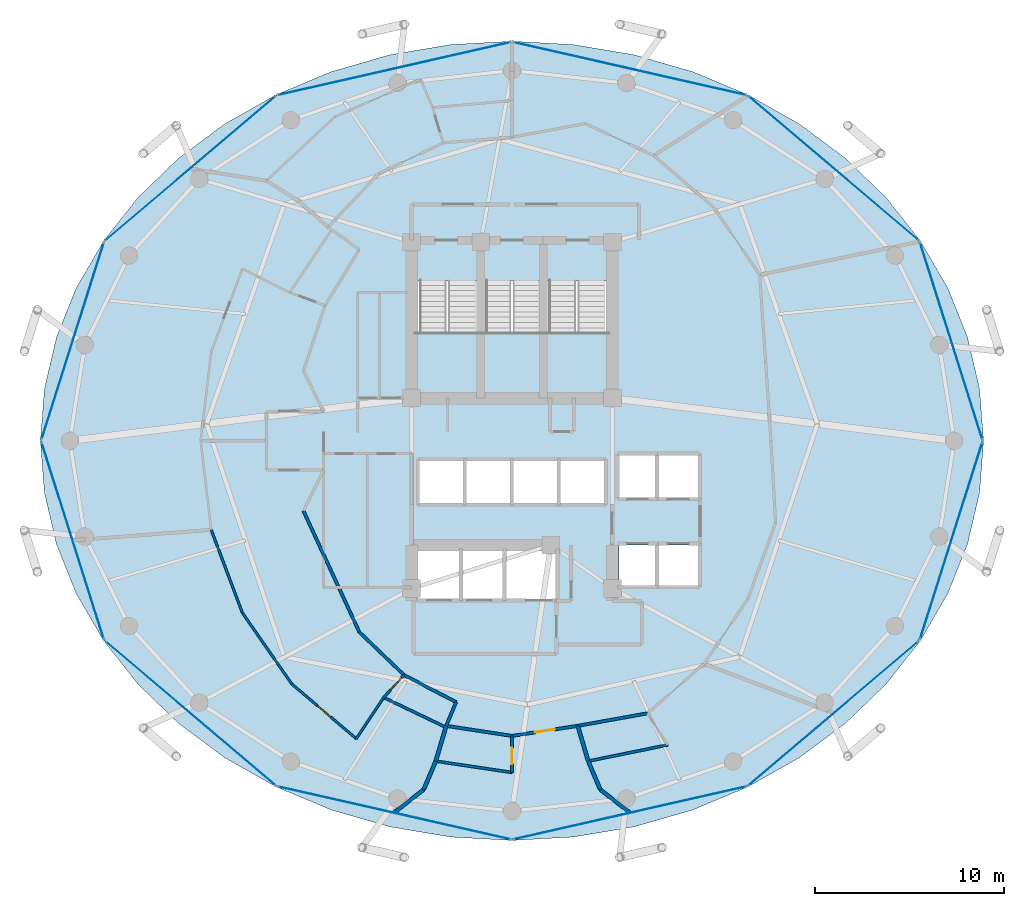
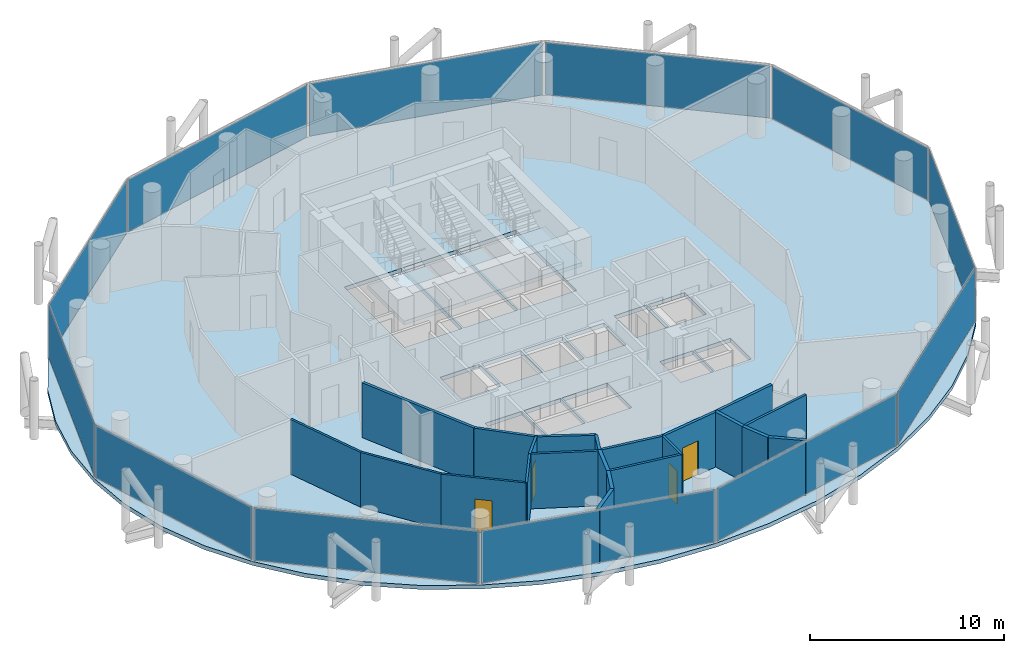
# One storey, part 21 of 26: 22 walls, 12 plates, 4 doors, 4 slabs, 4 openings, 15 elements without a shape of their own.
"""IFC4 building model written with IfcOpenShell, lengths in metres."""

from ifc_helpers import new_model, si_unit, direction, frame, frame_2d, origin, origin_2d, place, context, subcontext, project, spatial, polyline, rectangle, outline, extrude, material, layer, layer_set, type_object, element, fill, aggregate, save


model = new_model("IFC4")

# Units and contexts
model_context = context("Model", 3, precision=1e-05, world=origin(), true_north=direction((0.0, 1.0)))
body_context = subcontext(model_context, "Body", "Model", "MODEL_VIEW")
ifc_project = project(units=[si_unit("LENGTHUNIT", "METRE"), si_unit("AREAUNIT", "SQUARE_METRE"), si_unit("VOLUMEUNIT", "CUBIC_METRE"), si_unit("PLANEANGLEUNIT", "RADIAN"), si_unit("MASSUNIT", "GRAM", prefix="KILO")], contexts=[model_context])

# Site, building, storey
site_placement = place(None, origin())
site = spatial("IfcSite", under=ifc_project, at=site_placement, CompositionType="ELEMENT")
building_placement = place(site_placement, origin())
building = spatial("IfcBuilding", under=site, at=building_placement, Name="Nuhasar Tower", CompositionType="ELEMENT")
storey_placement = place(building_placement, frame((0.0, 0.0, 147.85009765625)))
storey = spatial("IfcBuildingStorey", under=building, at=storey_placement, Name="L35", CompositionType="ELEMENT", Elevation=147.85009765625)

# Curtain wall, plate
ifc_material_1 = material(Name="Aluminium 6063-T6", Category="aluminium")
ifc_layer_1 = layer(ifc_material_1, 0.199951171875)
ifc_layer_set_1 = layer_set([ifc_layer_1], Name="Aluminium 6063-T6")
curtain_wall_type = type_object("IfcCurtainWallType", Name="CW-Z2-HTL", PredefinedType="NOTDEFINED", material=ifc_layer_set_1)
curtain_wall_1_placement = place(storey_placement, origin())
curtain_wall_1 = element("IfcCurtainWall", 1, at=curtain_wall_1_placement, inside=storey, type_object=curtain_wall_type, Name="L35 Unitised Curtain Wall 01", PredefinedType="NOTDEFINED")
ifc_material_2 = material(Name="Glass Double Low-E", Category="glass")
ifc_layer_2 = layer(ifc_material_2, 0.028076171875)
ifc_layer_set_2 = layer_set([ifc_layer_2], Name="Glass Double Low-E")
plate_type = type_object("IfcPlateType", Name="CW-PANEL-GLZ", PredefinedType="CURTAIN_PANEL", material=ifc_layer_set_2)
plate_1_placement = place(storey_placement, frame((62.194580078125, 32.06494140625, 0.06982421875), z_axis=(0.0, 0.0, 1.0), x_axis=(-0.301603667577, 0.953433389233, 0.0)))
plate_1 = element("IfcPlate", 2, at=plate_1_placement, type_object=plate_type, Name="CW-Z2 panel 1.1", PredefinedType="CURTAIN_PANEL", context=body_context, shape_type="SweptSolid", body=[
    extrude(rectangle(XDim=10.904296875, YDim=0.028076171875, at=origin_2d()), origin(), (0.0, 0.0, 1.0), 3.31005859375),
])
aggregate(curtain_wall_1, [plate_1])

curtain_wall_2_placement = place(storey_placement, origin())
curtain_wall_2 = element("IfcCurtainWall", 3, at=curtain_wall_2_placement, inside=storey, type_object=curtain_wall_type, Name="L35 Unitised Curtain Wall 02", PredefinedType="NOTDEFINED")
plate_2_placement = place(storey_placement, frame((55.9794921875, 41.18408203125, 0.06982421875), z_axis=(0.0, 0.0, 1.0), x_axis=(-0.763020370292, 0.646374438324, 0.0)))
plate_2 = element("IfcPlate", 4, at=plate_2_placement, type_object=plate_type, Name="CW-Z2 panel 1.1", PredefinedType="CURTAIN_PANEL", context=body_context, shape_type="SweptSolid", body=[
    extrude(rectangle(XDim=11.784912109375, YDim=0.028076171875, at=origin_2d()), origin(), (0.0, 0.0, 1.0), 3.31005859375),
])
aggregate(curtain_wall_2, [plate_2])

curtain_wall_3_placement = place(storey_placement, origin())
curtain_wall_3 = element("IfcCurtainWall", 5, at=curtain_wall_3_placement, inside=storey, type_object=curtain_wall_type, Name="L35 Unitised Curtain Wall 03", PredefinedType="NOTDEFINED")
plate_3_placement = place(storey_placement, frame((45.215087890625, 46.448974609375, 0.06982421875), z_axis=(0.0, 0.0, 1.0), x_axis=(-0.975183694221, 0.22139729566, 0.0)))
plate_3 = element("IfcPlate", 6, at=plate_3_placement, type_object=plate_type, Name="CW-Z2 panel 1.1", PredefinedType="CURTAIN_PANEL", context=body_context, shape_type="SweptSolid", body=[
    extrude(rectangle(XDim=12.606201171875, YDim=0.028076171875, at=origin_2d()), origin(), (0.0, 0.0, 1.0), 3.31005859375),
])
aggregate(curtain_wall_3, [plate_3])

curtain_wall_4_placement = place(storey_placement, origin())
curtain_wall_4 = element("IfcCurtainWall", 7, at=curtain_wall_4_placement, inside=storey, type_object=curtain_wall_type, Name="L35 Unitised Curtain Wall 04", PredefinedType="NOTDEFINED")
plate_4_placement = place(storey_placement, frame((32.784912109375, 46.448974609375, 0.06982421875), z_axis=(0.0, 0.0, 1.0), x_axis=(-0.975183694221, -0.22139729566, 0.0)))
plate_4 = element("IfcPlate", 8, at=plate_4_placement, type_object=plate_type, Name="CW-Z2 panel 1.1", PredefinedType="CURTAIN_PANEL", context=body_context, shape_type="SweptSolid", body=[
    extrude(rectangle(XDim=12.606201171875, YDim=0.028076171875, at=origin_2d()), origin(), (0.0, 0.0, 1.0), 3.31005859375),
])
aggregate(curtain_wall_4, [plate_4])

curtain_wall_5_placement = place(storey_placement, origin())
curtain_wall_5 = element("IfcCurtainWall", 9, at=curtain_wall_5_placement, inside=storey, type_object=curtain_wall_type, Name="L35 Unitised Curtain Wall 05", PredefinedType="NOTDEFINED")
plate_5_placement = place(storey_placement, frame((22.0205078125, 41.18408203125, 0.06982421875), z_axis=(0.0, 0.0, 1.0), x_axis=(-0.763020370292, -0.646374438324, 0.0)))
plate_5 = element("IfcPlate", 10, at=plate_5_placement, type_object=plate_type, Name="CW-Z2 panel 1.1", PredefinedType="CURTAIN_PANEL", context=body_context, shape_type="SweptSolid", body=[
    extrude(rectangle(XDim=11.784912109375, YDim=0.028076171875, at=origin_2d()), origin(), (0.0, 0.0, 1.0), 3.31005859375),
])
aggregate(curtain_wall_5, [plate_5])

curtain_wall_6_placement = place(storey_placement, origin())
curtain_wall_6 = element("IfcCurtainWall", 11, at=curtain_wall_6_placement, inside=storey, type_object=curtain_wall_type, Name="L35 Unitised Curtain Wall 06", PredefinedType="NOTDEFINED")
plate_6_placement = place(storey_placement, frame((15.805419921875, 32.06494140625, 0.06982421875), z_axis=(0.0, 0.0, 1.0), x_axis=(-0.301603667577, -0.953433389233, 0.0)))
plate_6 = element("IfcPlate", 12, at=plate_6_placement, type_object=plate_type, Name="CW-Z2 panel 1.1", PredefinedType="CURTAIN_PANEL", context=body_context, shape_type="SweptSolid", body=[
    extrude(rectangle(XDim=10.904296875, YDim=0.028076171875, at=origin_2d()), origin(), (0.0, 0.0, 1.0), 3.31005859375),
])
aggregate(curtain_wall_6, [plate_6])

curtain_wall_7_placement = place(storey_placement, origin())
curtain_wall_7 = element("IfcCurtainWall", 13, at=curtain_wall_7_placement, inside=storey, type_object=curtain_wall_type, Name="L35 Unitised Curtain Wall 07", PredefinedType="NOTDEFINED")
plate_7_placement = place(storey_placement, frame((15.805419921875, 21.534912109375, 0.06982421875), z_axis=(0.0, 0.0, 1.0), x_axis=(0.301603667577, -0.953433389233, 0.0)))
plate_7 = element("IfcPlate", 14, at=plate_7_placement, type_object=plate_type, Name="CW-Z2 panel 1.1", PredefinedType="CURTAIN_PANEL", context=body_context, shape_type="SweptSolid", body=[
    extrude(rectangle(XDim=10.904296875, YDim=0.028076171875, at=origin_2d()), origin(), (0.0, 0.0, 1.0), 3.31005859375),
])
aggregate(curtain_wall_7, [plate_7])

curtain_wall_8_placement = place(storey_placement, origin())
curtain_wall_8 = element("IfcCurtainWall", 15, at=curtain_wall_8_placement, inside=storey, type_object=curtain_wall_type, Name="L35 Unitised Curtain Wall 08", PredefinedType="NOTDEFINED")
plate_8_placement = place(storey_placement, frame((22.0205078125, 12.416015625, 0.06982421875), z_axis=(0.0, 0.0, 1.0), x_axis=(0.763020370292, -0.646374438324, 0.0)))
plate_8 = element("IfcPlate", 16, at=plate_8_placement, type_object=plate_type, Name="CW-Z2 panel 1.1", PredefinedType="CURTAIN_PANEL", context=body_context, shape_type="SweptSolid", body=[
    extrude(rectangle(XDim=11.784912109375, YDim=0.028076171875, at=origin_2d()), origin(), (0.0, 0.0, 1.0), 3.31005859375),
])
aggregate(curtain_wall_8, [plate_8])

curtain_wall_9_placement = place(storey_placement, origin())
curtain_wall_9 = element("IfcCurtainWall", 17, at=curtain_wall_9_placement, inside=storey, type_object=curtain_wall_type, Name="L35 Unitised Curtain Wall 09", PredefinedType="NOTDEFINED")
plate_9_placement = place(storey_placement, frame((32.784912109375, 7.15087890625, 0.06982421875), z_axis=(0.0, 0.0, 1.0), x_axis=(0.975183694221, -0.22139729566, 0.0)))
plate_9 = element("IfcPlate", 18, at=plate_9_placement, type_object=plate_type, Name="CW-Z2 panel 1.1", PredefinedType="CURTAIN_PANEL", context=body_context, shape_type="SweptSolid", body=[
    extrude(rectangle(XDim=12.606201171875, YDim=0.028076171875, at=origin_2d()), origin(), (0.0, 0.0, 1.0), 3.31005859375),
])
aggregate(curtain_wall_9, [plate_9])

curtain_wall_10_placement = place(storey_placement, origin())
curtain_wall_10 = element("IfcCurtainWall", 19, at=curtain_wall_10_placement, inside=storey, type_object=curtain_wall_type, Name="L35 Unitised Curtain Wall 10", PredefinedType="NOTDEFINED")
plate_10_placement = place(storey_placement, frame((45.215087890625, 7.15087890625, 0.06982421875), z_axis=(0.0, 0.0, 1.0), x_axis=(0.975183694221, 0.22139729566, 0.0)))
plate_10 = element("IfcPlate", 20, at=plate_10_placement, type_object=plate_type, Name="CW-Z2 panel 1.1", PredefinedType="CURTAIN_PANEL", context=body_context, shape_type="SweptSolid", body=[
    extrude(rectangle(XDim=12.606201171875, YDim=0.028076171875, at=origin_2d()), origin(), (0.0, 0.0, 1.0), 3.31005859375),
])
aggregate(curtain_wall_10, [plate_10])

curtain_wall_11_placement = place(storey_placement, origin())
curtain_wall_11 = element("IfcCurtainWall", 21, at=curtain_wall_11_placement, inside=storey, type_object=curtain_wall_type, Name="L35 Unitised Curtain Wall 11", PredefinedType="NOTDEFINED")
plate_11_placement = place(storey_placement, frame((55.9794921875, 12.416015625, 0.06982421875), z_axis=(0.0, 0.0, 1.0), x_axis=(0.763020370292, 0.646374438324, 0.0)))
plate_11 = element("IfcPlate", 22, at=plate_11_placement, type_object=plate_type, Name="CW-Z2 panel 1.1", PredefinedType="CURTAIN_PANEL", context=body_context, shape_type="SweptSolid", body=[
    extrude(rectangle(XDim=11.784912109375, YDim=0.028076171875, at=origin_2d()), origin(), (0.0, 0.0, 1.0), 3.31005859375),
])
aggregate(curtain_wall_11, [plate_11])

curtain_wall_12_placement = place(storey_placement, origin())
curtain_wall_12 = element("IfcCurtainWall", 23, at=curtain_wall_12_placement, inside=storey, type_object=curtain_wall_type, Name="L35 Unitised Curtain Wall 12", PredefinedType="NOTDEFINED")
plate_12_placement = place(storey_placement, frame((62.194580078125, 21.534912109375, 0.06982421875), z_axis=(0.0, 0.0, 1.0), x_axis=(0.301603667577, 0.953433389233, 0.0)))
plate_12 = element("IfcPlate", 24, at=plate_12_placement, type_object=plate_type, Name="CW-Z2 panel 1.1", PredefinedType="CURTAIN_PANEL", context=body_context, shape_type="SweptSolid", body=[
    extrude(rectangle(XDim=10.904296875, YDim=0.028076171875, at=origin_2d()), origin(), (0.0, 0.0, 1.0), 3.31005859375),
])
aggregate(curtain_wall_12, [plate_12])

# Stair, slab
ifc_material_3 = material(Name="Concrete C45/55", Category="concrete")
stair_type_1 = type_object("IfcStairType", Name="STR-ST-01-2F-22R-1682", PredefinedType="HALF_TURN_STAIR", material=ifc_material_3)
stair_1_placement = place(storey_placement, origin())
stair_1 = element("IfcStair", 25, at=stair_1_placement, inside=storey, type_object=stair_type_1, Name="L35 Exit Stair ST-01", PredefinedType="HALF_TURN_STAIR")
ifc_layer_3 = layer(ifc_material_3, 0.239990234375)
ifc_layer_set_3 = layer_set([ifc_layer_3], Name="Concrete C45/55")
slab_type_1 = type_object("IfcSlabType", Name="SLB-STAIR-LND-240", PredefinedType="LANDING", material=ifc_layer_set_3)
slab_1_placement = place(storey_placement, frame((0.0, 0.0, 1.60986328125)))
slab_1 = element("IfcSlab", 26, at=slab_1_placement, type_object=slab_type_1, Name="ST-01 landing 1", PredefinedType="LANDING", context=body_context, shape_type="SweptSolid", body=[
    extrude(outline(polyline([(33.699951171875, 28.75), (37.35009765625, 28.75), (37.35009765625, 32.52001953125), (33.699951171875, 32.52001953125), (33.699951171875, 28.75)])), origin(), (0.0, 0.0, 1.0), 0.239990234375),
])
aggregate(stair_1, [slab_1])

stair_type_2 = type_object("IfcStairType", Name="STR-ST-03-2F-22R-1682", PredefinedType="HALF_TURN_STAIR", material=ifc_material_3)
stair_2_placement = place(storey_placement, origin())
stair_2 = element("IfcStair", 27, at=stair_2_placement, inside=storey, type_object=stair_type_2, Name="L35 Exit Stair ST-03", PredefinedType="HALF_TURN_STAIR")
slab_2_placement = place(storey_placement, frame((0.0, 0.0, 1.60986328125)))
slab_2 = element("IfcSlab", 28, at=slab_2_placement, type_object=slab_type_1, Name="ST-03 landing 1", PredefinedType="LANDING", context=body_context, shape_type="SweptSolid", body=[
    extrude(outline(polyline([(37.35009765625, 28.75), (40.64990234375, 28.75), (40.64990234375, 32.52001953125), (37.35009765625, 32.52001953125), (37.35009765625, 28.75)])), origin(), (0.0, 0.0, 1.0), 0.239990234375),
])
aggregate(stair_2, [slab_2])

stair_type_3 = type_object("IfcStairType", Name="STR-ST-02-2F-22R-1682", PredefinedType="HALF_TURN_STAIR", material=ifc_material_3)
stair_3_placement = place(storey_placement, origin())
stair_3 = element("IfcStair", 29, at=stair_3_placement, inside=storey, type_object=stair_type_3, Name="L35 Exit Stair ST-02", PredefinedType="HALF_TURN_STAIR")
slab_3_placement = place(storey_placement, frame((0.0, 0.0, 1.60986328125)))
slab_3 = element("IfcSlab", 30, at=slab_3_placement, type_object=slab_type_1, Name="ST-02 landing 1", PredefinedType="LANDING", context=body_context, shape_type="SweptSolid", body=[
    extrude(outline(polyline([(40.64990234375, 28.75), (44.300048828125, 28.75), (44.300048828125, 32.52001953125), (40.64990234375, 32.52001953125), (40.64990234375, 28.75)])), origin(), (0.0, 0.0, 1.0), 0.239990234375),
])
aggregate(stair_3, [slab_3])

# Slab
ifc_layer_4 = layer(ifc_material_3, 0.25)
ifc_layer_set_4 = layer_set([ifc_layer_4], Name="Concrete C45/55")
slab_type_2 = type_object("IfcSlabType", Name="SLB-Z1B-250", PredefinedType="FLOOR", material=ifc_layer_set_4)
slab_4_placement = place(storey_placement, frame((0.0, 0.0, -0.25)))
element("IfcSlab", 31, at=slab_4_placement, inside=storey, type_object=slab_type_2, Name="L35 Structural Slab", PredefinedType="FLOOR", context=body_context, shape_type="SweptSolid", body=[
    extrude(outline(polyline([(63.89990234375, 26.800048828125), (63.68701171875, 29.553955078125), (63.052001953125, 32.260986328125), (62.0048828125, 34.875), (60.56396484375, 37.35009765625), (58.75390625, 39.64501953125), (56.60693359375, 41.719970703125), (54.157958984375, 43.5400390625), (51.449951171875, 45.072998046875), (48.529052734375, 46.2939453125), (45.445068359375, 47.180908203125), (42.25, 47.718994140625), (39.0, 47.89990234375), (35.75, 47.718994140625), (32.554931640625, 47.180908203125), (29.470947265625, 46.2939453125), (26.550048828125, 45.072998046875), (23.842041015625, 43.5400390625), (21.39306640625, 41.719970703125), (19.24609375, 39.64501953125), (17.43603515625, 37.35009765625), (15.9951171875, 34.875), (14.947998046875, 32.260986328125), (14.31298828125, 29.553955078125), (14.10009765625, 26.800048828125), (14.31298828125, 24.0458984375), (14.947998046875, 21.339111328125), (15.9951171875, 18.72509765625), (17.43603515625, 16.25), (19.24609375, 13.955078125), (21.39306640625, 11.8798828125), (23.842041015625, 10.06005859375), (26.550048828125, 8.527099609375), (29.470947265625, 7.305908203125), (32.554931640625, 6.4189453125), (35.75, 5.881103515625), (39.0, 5.699951171875), (42.25, 5.881103515625), (45.445068359375, 6.4189453125), (48.529052734375, 7.305908203125), (51.449951171875, 8.527099609375), (54.157958984375, 10.06005859375), (56.60693359375, 11.8798828125), (58.75390625, 13.955078125), (60.56396484375, 16.25), (62.0048828125, 18.72509765625), (63.052001953125, 21.339111328125), (63.68701171875, 24.0458984375), (63.89990234375, 26.800048828125)]), holes=[polyline([(33.8798828125, 35.25), (37.300048828125, 35.25), (37.300048828125, 29.0), (33.8798828125, 29.0), (33.8798828125, 35.25)]), polyline([(37.39990234375, 35.25), (40.60009765625, 35.25), (40.60009765625, 29.0), (37.39990234375, 29.0), (37.39990234375, 35.25)]), polyline([(40.699951171875, 35.25), (44.1201171875, 35.25), (44.1201171875, 29.0), (40.699951171875, 29.0), (40.699951171875, 35.25)]), polyline([(44.64990234375, 26.050048828125), (46.60009765625, 26.050048828125), (46.60009765625, 23.800048828125), (44.64990234375, 23.800048828125), (44.64990234375, 26.050048828125)]), polyline([(46.699951171875, 26.050048828125), (48.85009765625, 26.050048828125), (48.85009765625, 23.800048828125), (46.699951171875, 23.800048828125), (46.699951171875, 26.050048828125)]), polyline([(44.64990234375, 21.300048828125), (46.60009765625, 21.300048828125), (46.60009765625, 19.14990234375), (44.64990234375, 19.14990234375), (44.64990234375, 21.300048828125)]), polyline([(46.699951171875, 21.300048828125), (48.85009765625, 21.300048828125), (48.85009765625, 19.14990234375), (46.699951171875, 19.14990234375), (46.699951171875, 21.300048828125)]), polyline([(34.10009765625, 25.75), (36.43994140625, 25.75), (36.43994140625, 23.5), (34.10009765625, 23.5), (34.10009765625, 25.75)]), polyline([(36.580078125, 25.75), (38.919921875, 25.75), (38.919921875, 23.5), (36.580078125, 23.5), (36.580078125, 25.75)]), polyline([(39.06005859375, 25.75), (41.39990234375, 25.75), (41.39990234375, 23.5), (39.06005859375, 23.5), (39.06005859375, 25.75)]), polyline([(41.5400390625, 25.75), (43.8798828125, 25.75), (43.8798828125, 23.5), (41.5400390625, 23.5), (41.5400390625, 25.75)]), polyline([(34.050048828125, 21.0), (36.25, 21.0), (36.25, 18.449951171875), (34.050048828125, 18.449951171875), (34.050048828125, 21.0)]), polyline([(36.35009765625, 21.0), (38.550048828125, 21.0), (38.550048828125, 18.449951171875), (36.35009765625, 18.449951171875), (36.35009765625, 21.0)]), polyline([(38.64990234375, 21.0), (41.320068359375, 21.0), (41.320068359375, 18.449951171875), (38.64990234375, 18.449951171875), (38.64990234375, 21.0)])]), origin(), (0.0, 0.0, 1.0), 0.25),
])

# Wall
ifc_material_4 = material(Name="Gypsum Board", Category="gypsum")
ifc_layer_5 = layer(ifc_material_4, 0.159912109375)
ifc_layer_set_5 = layer_set([ifc_layer_5], Name="Gypsum Board")
wall_type_1 = type_object("IfcWallType", Name="WL-CORR-160", PredefinedType="PARTITIONING", material=ifc_layer_set_5)
wall_1_placement = place(storey_placement, frame((35.527099609375, 11.7509765625, 0.0), z_axis=(0.0, 0.0, 1.0), x_axis=(0.988511864265, -0.151143290318, 0.0)))
element("IfcWall", 32, at=wall_1_placement, inside=storey, type_object=wall_type_1, Name="L35 Interior Partition CORR-34", PredefinedType="PARTITIONING", context=body_context, shape_type="SweptSolid", body=[
    extrude(rectangle(XDim=3.51318359375, YDim=0.159912109375, at=frame_2d((1.756591796875, 0.0))), origin(), (0.0, 0.0, 1.0), 3.449951171875),
])

# Wall, opening, door
wall_2_placement = place(storey_placement, frame((42.472900390625, 11.7509765625, 0.0), z_axis=(0.0, 0.0, 1.0), x_axis=(-0.988511864265, -0.151143290318, 0.0)))
wall_2 = element("IfcWall", 33, at=wall_2_placement, inside=storey, type_object=wall_type_1, Name="L35 Interior Partition CORR-36", PredefinedType="PARTITIONING", context=body_context, shape_type="SweptSolid", body=[
    extrude(rectangle(XDim=3.51318359375, YDim=0.159912109375, at=frame_2d((1.756591796875, 0.0))), origin(), (0.0, 0.0, 1.0), 3.449951171875),
])
opening_1_placement = place(wall_2_placement, frame((1.23193359375, 0.0, 0.0)))
opening_1 = element("IfcOpeningElement", 34, at=opening_1_placement, cuts=wall_2, Name="Opening DU-01", PredefinedType="OPENING", context=body_context, shape_type="SweptSolid", body=[
    extrude(rectangle(XDim=1.050048828125, YDim=2.14990234375, at=frame_2d((0.52490234375, 1.074951171875))), frame((0.0, 0.08984375, 0.0), z_axis=(0.0, -1.0, 0.0), x_axis=(1.0, 0.0, 0.0)), (0.0, 0.0, 1.0), 0.179931640625),
])
ifc_material_5 = material(Name="Timber Oak", Category="wood")
door_type_1 = type_object("IfcDoorType", Name="DR-SUITE-FD60-1050", OperationType="NOTDEFINED", PredefinedType="DOOR", material=ifc_material_5)
door_1_placement = place(opening_1_placement, origin())
door_1 = element("IfcDoor", 35, at=door_1_placement, inside=storey, type_object=door_type_1, Name="L35 Club Junior Suite 01 Entrance Door", OperationType="SINGLE_SWING_RIGHT", OverallHeight=2.14990234375, OverallWidth=1.050048828125, PredefinedType="DOOR", context=body_context, shape_type="SweptSolid", body=[
    extrude(rectangle(XDim=1.050048828125, YDim=2.14990234375, at=frame_2d((0.52490234375, 1.074951171875))), frame((0.0, 0.02490234375, 0.0), z_axis=(0.0, -1.0, 0.0), x_axis=(1.0, 0.0, 0.0)), (0.0, 0.0, 1.0), 0.050048828125),
])
fill(opening_1, door_1)

# Walls
wall_3_placement = place(storey_placement, frame((42.472900390625, 11.7509765625, 0.0), z_axis=(0.0, 0.0, 1.0), x_axis=(0.984260148177, 0.176725665115, 0.0)))
element("IfcWall", 36, at=wall_3_placement, inside=storey, type_object=wall_type_1, Name="L35 Interior Partition CORR-38", PredefinedType="PARTITIONING", context=body_context, shape_type="SweptSolid", body=[
    extrude(rectangle(XDim=3.740966796875, YDim=0.159912109375, at=frame_2d((1.87060546875, 0.0))), origin(), (0.0, 0.0, 1.0), 3.449951171875),
])
wall_4_placement = place(storey_placement, frame((36.049072265625, 13.007080078125, 0.0), z_axis=(0.0, 0.0, 1.0), x_axis=(-0.38373584686, -0.923442905563, 0.0)))
element("IfcWall", 37, at=wall_4_placement, inside=storey, type_object=wall_type_1, Name="L35 Interior Partition HRAD-34-IN", PredefinedType="PARTITIONING", context=body_context, shape_type="SweptSolid", body=[
    extrude(rectangle(XDim=1.3603515625, YDim=0.159912109375, at=frame_2d((0.68017578125, 0.0))), origin(), (0.0, 0.0, 1.0), 3.449951171875),
])
wall_5_placement = place(storey_placement, frame((27.988037109375, 23.10400390625, 0.0), z_axis=(0.0, 0.0, 1.0), x_axis=(0.418656179426, -0.908144814128, 0.0)))
element("IfcWall", 38, at=wall_5_placement, inside=storey, type_object=wall_type_1, Name="L35 Interior Partition HWEST-CORE-S1-26", PredefinedType="PARTITIONING", context=body_context, shape_type="SweptSolid", body=[
    extrude(rectangle(XDim=7.048583984375, YDim=0.159912109375, at=frame_2d((3.5244140625, 0.0))), origin(), (0.0, 0.0, 1.0), 3.449951171875),
])
wall_6_placement = place(storey_placement, frame((30.93896484375, 16.702880859375, 0.0), z_axis=(0.0, 0.0, 1.0), x_axis=(0.72090897908, -0.693029756851, 0.0)))
element("IfcWall", 39, at=wall_6_placement, inside=storey, type_object=wall_type_1, Name="L35 Interior Partition HWEST-CORE-S2-30", PredefinedType="PARTITIONING", context=body_context, shape_type="SweptSolid", body=[
    extrude(rectangle(XDim=3.275146484375, YDim=0.159912109375, at=frame_2d((1.6376953125, 0.0))), origin(), (0.0, 0.0, 1.0), 3.449951171875),
])
wall_7_placement = place(storey_placement, frame((33.300048828125, 14.43310546875, 0.0), z_axis=(0.0, 0.0, 1.0), x_axis=(0.887674575788, -0.460471331898, 0.0)))
element("IfcWall", 40, at=wall_7_placement, inside=storey, type_object=wall_type_1, Name="L35 Interior Partition HWEST-CORE-S2-32", PredefinedType="PARTITIONING", context=body_context, shape_type="SweptSolid", body=[
    extrude(rectangle(XDim=3.096923828125, YDim=0.159912109375, at=frame_2d((1.54833984375, 0.0))), origin(), (0.0, 0.0, 1.0), 3.449951171875),
])
ifc_layer_6 = layer(ifc_material_4, 0.125)
ifc_layer_set_6 = layer_set([ifc_layer_6], Name="Gypsum Board")
wall_type_2 = type_object("IfcWallType", Name="WL-PART-125", PredefinedType="PARTITIONING", material=ifc_layer_set_6)
wall_8_placement = place(storey_placement, frame((32.22509765625, 13.2470703125, 0.0), z_axis=(0.0, 0.0, 1.0), x_axis=(-0.553555827905, -0.832812070873, 0.0)))
element("IfcWall", 41, at=wall_8_placement, inside=storey, type_object=wall_type_2, Name="L35 Interior Partition HWS2-N", PredefinedType="PARTITIONING", context=body_context, shape_type="SweptSolid", body=[
    extrude(rectangle(XDim=2.610595703125, YDim=0.125, at=frame_2d((1.30517578125, 0.0))), origin(), (0.0, 0.0, 1.0), 3.449951171875),
])
wall_9_placement = place(storey_placement, frame((23.1201171875, 22.10009765625, 0.0), z_axis=(0.0, 0.0, 1.0), x_axis=(0.351174914427, -0.936309873641, 0.0)))
element("IfcWall", 42, at=wall_9_placement, inside=storey, type_object=wall_type_2, Name="L35 Interior Partition HWS2-ARC-26", PredefinedType="PARTITIONING", context=body_context, shape_type="SweptSolid", body=[
    extrude(rectangle(XDim=4.677978515625, YDim=0.125, at=frame_2d((2.3388671875, 0.0))), origin(), (0.0, 0.0, 1.0), 3.449951171875),
])
wall_10_placement = place(storey_placement, frame((24.762939453125, 17.719970703125, 0.0), z_axis=(0.0, 0.0, 1.0), x_axis=(0.570434776354, -0.821342903985, 0.0)))
element("IfcWall", 43, at=wall_10_placement, inside=storey, type_object=wall_type_2, Name="L35 Interior Partition HWS2-ARC-28", PredefinedType="PARTITIONING", context=body_context, shape_type="SweptSolid", body=[
    extrude(rectangle(XDim=4.5791015625, YDim=0.125, at=frame_2d((2.28955078125, 0.0))), origin(), (0.0, 0.0, 1.0), 3.449951171875),
])

# Wall, opening, door
wall_11_placement = place(storey_placement, frame((27.375, 13.958984375, 0.0), z_axis=(0.0, 0.0, 1.0), x_axis=(0.762854903473, -0.646569714917, 0.0)))
wall_11 = element("IfcWall", 44, at=wall_11_placement, inside=storey, type_object=wall_type_2, Name="L35 Interior Partition HWS2-ARC-30", PredefinedType="PARTITIONING", context=body_context, shape_type="SweptSolid", body=[
    extrude(rectangle(XDim=4.463623046875, YDim=0.125, at=frame_2d((2.23193359375, 0.0))), origin(), (0.0, 0.0, 1.0), 3.449951171875),
])
opening_2_placement = place(wall_11_placement, frame((1.781982421875, 0.0, 0.0)))
opening_2 = element("IfcOpeningElement", 45, at=opening_2_placement, cuts=wall_11, Name="Opening DR-01", PredefinedType="OPENING", context=body_context, shape_type="SweptSolid", body=[
    extrude(rectangle(XDim=0.89990234375, YDim=2.10009765625, at=frame_2d((0.449951171875, 1.050048828125))), frame((0.0, 0.072509765625, 0.0), z_axis=(0.0, -1.0, 0.0), x_axis=(1.0, 0.0, 0.0)), (0.0, 0.0, 1.0), 0.14501953125),
])
door_type_2 = type_object("IfcDoorType", Name="DR-ROOM-900", OperationType="NOTDEFINED", PredefinedType="DOOR", material=ifc_material_5)
door_2_placement = place(opening_2_placement, origin())
door_2 = element("IfcDoor", 46, at=door_2_placement, inside=storey, type_object=door_type_2, Name="L35 South-West Presidential Suite Bedroom Door", OperationType="SINGLE_SWING_RIGHT", OverallHeight=2.10009765625, OverallWidth=0.89990234375, PredefinedType="DOOR", context=body_context, shape_type="SweptSolid", body=[
    extrude(rectangle(XDim=0.89990234375, YDim=2.10009765625, at=frame_2d((0.449951171875, 1.050048828125))), frame((0.0, 0.02490234375, 0.0), z_axis=(0.0, -1.0, 0.0), x_axis=(1.0, 0.0, 0.0)), (0.0, 0.0, 1.0), 0.050048828125),
])
fill(opening_2, door_2)

# Walls
ifc_material_6 = material(Name="Concrete C40/50 precast", Category="concrete")
ifc_layer_7 = layer(ifc_material_6, 0.199951171875)
ifc_layer_set_7 = layer_set([ifc_layer_7], Name="Concrete C40/50 precast")
wall_type_3 = type_object("IfcWallType", Name="WL-UNIT-200", PredefinedType="PARTITIONING", material=ifc_layer_set_7)
wall_12_placement = place(storey_placement, frame((35.527099609375, 11.7509765625, 0.0), z_axis=(0.0, 0.0, 1.0), x_axis=(-0.283947221883, -0.958839911135, 0.0)))
element("IfcWall", 47, at=wall_12_placement, inside=storey, type_object=wall_type_3, Name="L35 Interior Partition HRAD-34-OUT-S1", PredefinedType="PARTITIONING", context=body_context, shape_type="SweptSolid", body=[
    extrude(rectangle(XDim=1.944091796875, YDim=0.199951171875, at=frame_2d((0.97216796875, 0.0))), origin(), (0.0, 0.0, 1.0), 3.449951171875),
])
wall_13_placement = place(storey_placement, frame((34.97509765625, 9.886962890625, 0.0), z_axis=(0.0, 0.0, 1.0), x_axis=(-0.389767285182, -0.920913385396, 0.0)))
element("IfcWall", 48, at=wall_13_placement, inside=storey, type_object=wall_type_3, Name="L35 Interior Partition HRAD-34-OUT-S2", PredefinedType="PARTITIONING", context=body_context, shape_type="SweptSolid", body=[
    extrude(rectangle(XDim=1.626708984375, YDim=0.199951171875, at=frame_2d((0.8134765625, 0.0))), origin(), (0.0, 0.0, 1.0), 3.449951171875),
])
wall_14_placement = place(storey_placement, frame((34.341064453125, 8.388916015625, 0.0), z_axis=(0.0, 0.0, 1.0), x_axis=(-0.788976644824, -0.614423187976, 0.0)))
element("IfcWall", 49, at=wall_14_placement, inside=storey, type_object=wall_type_3, Name="L35 Interior Partition HRAD-34-OUT-S3", PredefinedType="PARTITIONING", context=body_context, shape_type="SweptSolid", body=[
    extrude(rectangle(XDim=1.9609375, YDim=0.199951171875, at=frame_2d((0.98046875, 0.0))), origin(), (0.0, 0.0, 1.0), 3.449951171875),
])
wall_15_placement = place(storey_placement, frame((42.472900390625, 11.7509765625, 0.0), z_axis=(0.0, 0.0, 1.0), x_axis=(0.283947221883, -0.958839911135, 0.0)))
element("IfcWall", 50, at=wall_15_placement, inside=storey, type_object=wall_type_3, Name="L35 Interior Partition HRAD-38-S1", PredefinedType="PARTITIONING", context=body_context, shape_type="SweptSolid", body=[
    extrude(rectangle(XDim=1.944091796875, YDim=0.199951171875, at=frame_2d((0.97216796875, 0.0))), origin(), (0.0, 0.0, 1.0), 3.449951171875),
])
wall_16_placement = place(storey_placement, frame((43.02490234375, 9.886962890625, 0.0), z_axis=(0.0, 0.0, 1.0), x_axis=(0.389767285182, -0.920913385396, 0.0)))
element("IfcWall", 51, at=wall_16_placement, inside=storey, type_object=wall_type_3, Name="L35 Interior Partition HRAD-38-S2", PredefinedType="PARTITIONING", context=body_context, shape_type="SweptSolid", body=[
    extrude(rectangle(XDim=1.626708984375, YDim=0.199951171875, at=frame_2d((0.8134765625, 0.0))), origin(), (0.0, 0.0, 1.0), 3.449951171875),
])
wall_17_placement = place(storey_placement, frame((43.658935546875, 8.388916015625, 0.0), z_axis=(0.0, 0.0, 1.0), x_axis=(0.788976644824, -0.614423187976, 0.0)))
element("IfcWall", 52, at=wall_17_placement, inside=storey, type_object=wall_type_3, Name="L35 Interior Partition HRAD-38-S3", PredefinedType="PARTITIONING", context=body_context, shape_type="SweptSolid", body=[
    extrude(rectangle(XDim=1.9609375, YDim=0.199951171875, at=frame_2d((0.98046875, 0.0))), origin(), (0.0, 0.0, 1.0), 3.449951171875),
])

# Wall, opening, door
ifc_layer_8 = layer(ifc_material_6, 0.139892578125)
ifc_layer_set_8 = layer_set([ifc_layer_8], Name="Concrete C40/50 precast")
wall_type_4 = type_object("IfcWallType", Name="WL-WET-140", PredefinedType="PARTITIONING", material=ifc_layer_set_8)
wall_18_placement = place(storey_placement, frame((39.0, 11.219970703125, 0.0), z_axis=(0.0, 0.0, 1.0), x_axis=(0.0, -1.0, 0.0)))
wall_18 = element("IfcWall", 53, at=wall_18_placement, inside=storey, type_object=wall_type_4, Name="L35 Interior Partition HBW-01", PredefinedType="PARTITIONING", context=body_context, shape_type="SweptSolid", body=[
    extrude(rectangle(XDim=1.929931640625, YDim=0.139892578125, at=frame_2d((0.96484375, 0.0))), origin(), (0.0, 0.0, 1.0), 3.449951171875),
])
opening_3_placement = place(wall_18_placement, frame((0.636962890625, 0.0, 0.0)))
opening_3 = element("IfcOpeningElement", 54, at=opening_3_placement, cuts=wall_18, Name="Opening DB-01", PredefinedType="OPENING", context=body_context, shape_type="SweptSolid", body=[
    extrude(rectangle(XDim=0.85009765625, YDim=2.10009765625, at=frame_2d((0.425048828125, 1.050048828125))), frame((0.0, 0.080078125, 0.0), z_axis=(0.0, -1.0, 0.0), x_axis=(1.0, 0.0, 0.0)), (0.0, 0.0, 1.0), 0.159912109375),
])
door_type_3 = type_object("IfcDoorType", Name="DR-BATH-850", OperationType="NOTDEFINED", PredefinedType="DOOR", material=ifc_material_5)
door_3_placement = place(opening_3_placement, origin())
door_3 = element("IfcDoor", 55, at=door_3_placement, inside=storey, type_object=door_type_3, Name="L35 Club Junior Suite 01 En-Suite Door", OperationType="SINGLE_SWING_RIGHT", OverallHeight=2.10009765625, OverallWidth=0.85009765625, PredefinedType="DOOR", context=body_context, shape_type="SweptSolid", body=[
    extrude(rectangle(XDim=0.85009765625, YDim=2.10009765625, at=frame_2d((0.425048828125, 1.050048828125))), frame((0.0, 0.02490234375, 0.0), z_axis=(0.0, -1.0, 0.0), x_axis=(1.0, 0.0, 0.0)), (0.0, 0.0, 1.0), 0.050048828125),
])
fill(opening_3, door_3)

# Walls
wall_19_placement = place(storey_placement, frame((34.97509765625, 9.886962890625, 0.0), z_axis=(0.0, 0.0, 1.0), x_axis=(0.989180577346, -0.146703051778, 0.0)))
element("IfcWall", 56, at=wall_19_placement, inside=storey, type_object=wall_type_4, Name="L35 Interior Partition HBF-01-34", PredefinedType="PARTITIONING", context=body_context, shape_type="SweptSolid", body=[
    extrude(rectangle(XDim=4.06884765625, YDim=0.139892578125, at=frame_2d((2.034423828125, 0.0))), origin(), (0.0, 0.0, 1.0), 3.449951171875),
])
wall_20_placement = place(storey_placement, frame((43.02490234375, 9.886962890625, 0.0), z_axis=(0.0, 0.0, 1.0), x_axis=(0.979769708122, 0.200128256494, 0.0)))
element("IfcWall", 57, at=wall_20_placement, inside=storey, type_object=wall_type_4, Name="L35 Interior Partition HBF-02-38", PredefinedType="PARTITIONING", context=body_context, shape_type="SweptSolid", body=[
    extrude(rectangle(XDim=4.29296875, YDim=0.139892578125, at=frame_2d((2.146484375, 0.0))), origin(), (0.0, 0.0, 1.0), 3.449951171875),
])

# Wall, opening, door
wall_21_placement = place(storey_placement, frame((33.300048828125, 14.43310546875, 0.0), z_axis=(0.0, 0.0, 1.0), x_axis=(-0.671556062003, -0.740953747266, 0.0)))
wall_21 = element("IfcWall", 58, at=wall_21_placement, inside=storey, type_object=wall_type_4, Name="L35 Interior Partition HBW2-N", PredefinedType="PARTITIONING", context=body_context, shape_type="SweptSolid", body=[
    extrude(rectangle(XDim=1.6005859375, YDim=0.139892578125, at=frame_2d((0.80029296875, 0.0))), origin(), (0.0, 0.0, 1.0), 3.449951171875),
])
opening_4_placement = place(wall_21_placement, frame((0.199951171875, 0.0, 0.0)))
opening_4 = element("IfcOpeningElement", 59, at=opening_4_placement, cuts=wall_21, Name="Opening DB-01", PredefinedType="OPENING", context=body_context, shape_type="SweptSolid", body=[
    extrude(rectangle(XDim=0.85009765625, YDim=2.10009765625, at=frame_2d((0.425048828125, 1.050048828125))), frame((0.0, 0.080078125, 0.0), z_axis=(0.0, -1.0, 0.0), x_axis=(1.0, 0.0, 0.0)), (0.0, 0.0, 1.0), 0.159912109375),
])
door_4_placement = place(opening_4_placement, origin())
door_4 = element("IfcDoor", 60, at=door_4_placement, inside=storey, type_object=door_type_3, Name="L35 South-West Presidential Suite En-Suite Door", OperationType="SINGLE_SWING_LEFT", OverallHeight=2.10009765625, OverallWidth=0.85009765625, PredefinedType="DOOR", context=body_context, shape_type="SweptSolid", body=[
    extrude(rectangle(XDim=0.85009765625, YDim=2.10009765625, at=frame_2d((0.425048828125, 1.050048828125))), frame((0.0, 0.02490234375, 0.0), z_axis=(0.0, -1.0, 0.0), x_axis=(1.0, 0.0, 0.0)), (0.0, 0.0, 1.0), 0.050048828125),
])
fill(opening_4, door_4)

# Wall
wall_22_placement = place(storey_placement, frame((32.22509765625, 13.2470703125, 0.0), z_axis=(0.0, 0.0, 1.0), x_axis=(0.902016722043, -0.431701092372, 0.0)))
element("IfcWall", 61, at=wall_22_placement, inside=storey, type_object=wall_type_4, Name="L35 Interior Partition HBW2-E", PredefinedType="PARTITIONING", context=body_context, shape_type="SweptSolid", body=[
    extrude(rectangle(XDim=3.622802734375, YDim=0.139892578125, at=frame_2d((1.8115234375, 0.0))), origin(), (0.0, 0.0, 1.0), 3.449951171875),
])

save(model, "model.ifc")
